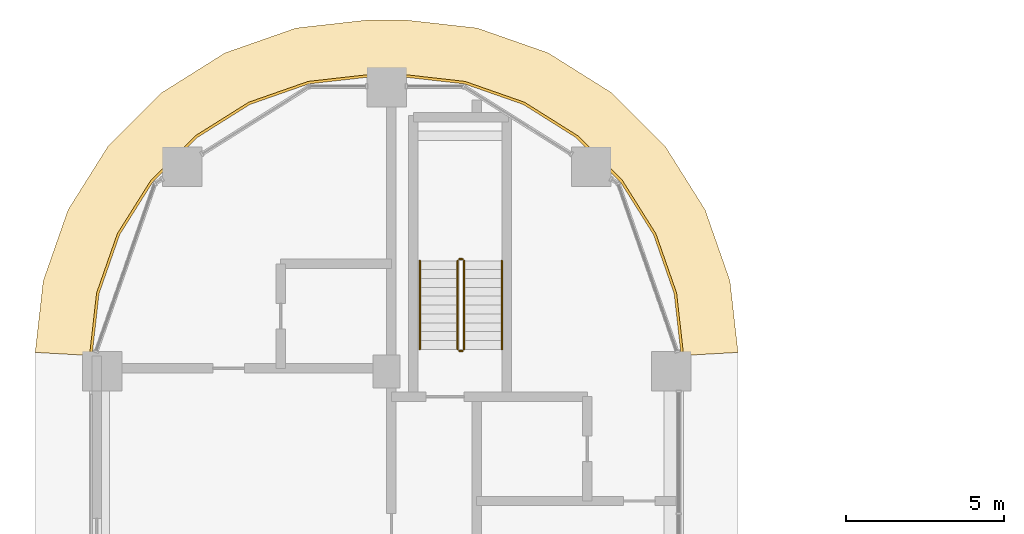
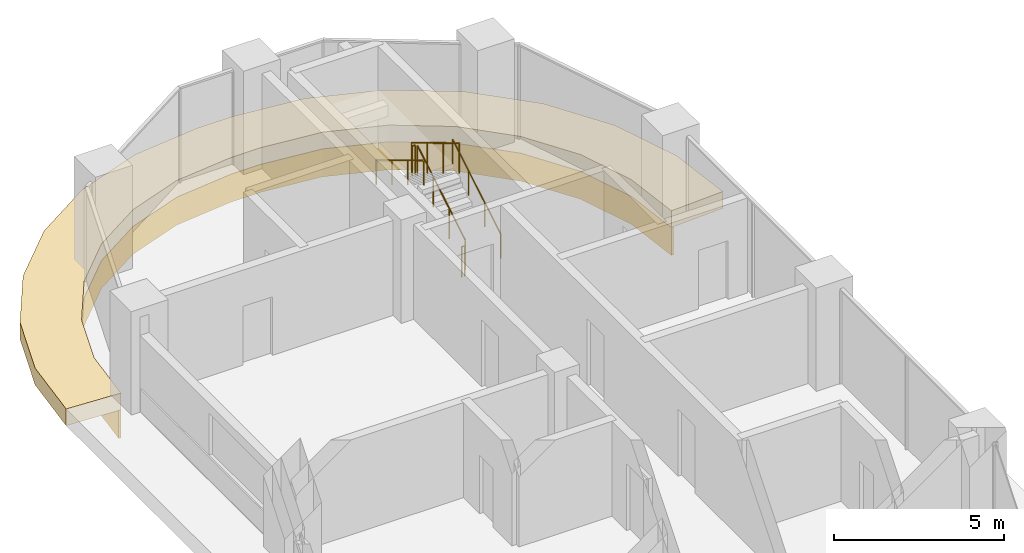
# One storey, part 30 of 33: 6 railings, 2 coverings.
"""IFC4 building model written with IfcOpenShell, lengths in metres."""

from ifc_helpers import new_model, si_unit, direction, frame, origin, origin_2d, place, context, subcontext, project, spatial, polyline, circle, outline, extrude, material, layer, layer_set, type_object, element, save


model = new_model("IFC4")

# Units and contexts
model_context = context("Model", 3, precision=1e-05, world=origin(), true_north=direction((0.0, 1.0)))
body_context = subcontext(model_context, "Body", "Model", "MODEL_VIEW")
ifc_project = project(units=[si_unit("LENGTHUNIT", "METRE"), si_unit("AREAUNIT", "SQUARE_METRE"), si_unit("VOLUMEUNIT", "CUBIC_METRE"), si_unit("PLANEANGLEUNIT", "RADIAN"), si_unit("MASSUNIT", "GRAM", prefix="KILO")], contexts=[model_context])

# Site, building, storey
site_placement = place(None, origin())
site = spatial("IfcSite", under=ifc_project, at=site_placement, CompositionType="ELEMENT")
building_placement = place(site_placement, origin())
building = spatial("IfcBuilding", under=site, at=building_placement, Name="Ogive Portal Towers", CompositionType="ELEMENT")
storey_placement = place(building_placement, frame((0.0, 0.0, 98.199951171875)))
storey = spatial("IfcBuildingStorey", under=building, at=storey_placement, Name="L23", CompositionType="ELEMENT", Elevation=98.199951171875)

# Railings
ifc_material_1 = material(Name="Stainless steel balustrade", Category="steel")
railing_type_1 = type_object("IfcRailingType", Name="INT-GUARD", PredefinedType="GUARDRAIL", material=ifc_material_1)
railing_1_placement = place(storey_placement, frame((42.949951171875, 67.199951171875, 0.168212890625)))
element("IfcRailing", 1, at=railing_1_placement, inside=storey, type_object=railing_type_1, Name="L23 ST-A3 stair guard 1", PredefinedType="GUARDRAIL", context=body_context, shape_type="SweptSolid", body=[
    extrude(circle(Radius=0.02392578125, at=origin_2d()), frame((0.0, 0.0, 1.076171875), z_axis=(0.0, 0.857242210791, 0.514913383045), x_axis=(-1.0, 0.0, 0.0)), (0.0, 0.0, 1.0), 3.266357421875),
    extrude(circle(Radius=0.02099609375, at=origin_2d()), origin(), (0.0, 0.0, 1.0), 1.052001953125),
    extrude(circle(Radius=0.02099609375, at=origin_2d()), frame((0.0, 0.933349609375, 0.560546875)), (0.0, 0.0, 1.0), 1.052001953125),
    extrude(circle(Radius=0.02099609375, at=origin_2d()), frame((0.0, 1.86669921875, 1.121337890625)), (0.0, 0.0, 1.0), 1.052001953125),
    extrude(circle(Radius=0.02099609375, at=origin_2d()), frame((0.0, 2.800048828125, 1.681884765625)), (0.0, 0.0, 1.0), 1.052001953125),
])
railing_2_placement = place(storey_placement, frame((42.89990234375, 70.050048828125, 1.85009765625)))
element("IfcRailing", 2, at=railing_2_placement, inside=storey, type_object=railing_type_1, Name="L23 ST-A3 stair guard 2", PredefinedType="GUARDRAIL", context=body_context, shape_type="SweptSolid", body=[
    extrude(circle(Radius=0.02392578125, at=origin_2d()), frame((0.0, 0.0, 1.076171875), z_axis=(-1.0, 0.0, 0.0), x_axis=(0.0, -1.0, 0.0)), (0.0, 0.0, 1.0), 0.099853515625),
    extrude(circle(Radius=0.02099609375, at=origin_2d()), origin(), (0.0, 0.0, 1.0), 1.052001953125),
    extrude(circle(Radius=0.02099609375, at=origin_2d()), frame((-0.099853515625, 0.0, 0.0)), (0.0, 0.0, 1.0), 1.052001953125),
])
railing_3_placement = place(storey_placement, frame((42.75, 70.0, 2.018310546875)))
element("IfcRailing", 3, at=railing_3_placement, inside=storey, type_object=railing_type_1, Name="L23 ST-A3 stair guard 3", PredefinedType="GUARDRAIL", context=body_context, shape_type="SweptSolid", body=[
    extrude(circle(Radius=0.02392578125, at=origin_2d()), frame((0.0, 0.0, 1.076171875), z_axis=(0.0, -0.857275202839, 0.514858452973), x_axis=(1.0, 0.0, 0.0)), (0.0, 0.0, 1.0), 3.26611328125),
    extrude(circle(Radius=0.02099609375, at=origin_2d()), origin(), (0.0, 0.0, 1.0), 1.052001953125),
    extrude(circle(Radius=0.02099609375, at=origin_2d()), frame((0.0, -0.933349609375, 0.560546875)), (0.0, 0.0, 1.0), 1.052001953125),
    extrude(circle(Radius=0.02099609375, at=origin_2d()), frame((0.0, -1.86669921875, 1.12109375)), (0.0, 0.0, 1.0), 1.052001953125),
    extrude(circle(Radius=0.02099609375, at=origin_2d()), frame((0.0, -2.800048828125, 1.681640625)), (0.0, 0.0, 1.0), 1.052001953125),
])
railing_4_placement = place(storey_placement, frame((42.89990234375, 67.14990234375, 0.0)))
element("IfcRailing", 4, at=railing_4_placement, inside=storey, type_object=railing_type_1, Name="L23 ST-A3 stair guard 4", PredefinedType="GUARDRAIL", context=body_context, shape_type="SweptSolid", body=[
    extrude(circle(Radius=0.02392578125, at=origin_2d()), frame((0.0, 0.0, 1.076171875), z_axis=(-1.0, 0.0, 0.0), x_axis=(0.0, -1.0, 0.0)), (0.0, 0.0, 1.0), 0.099853515625),
    extrude(circle(Radius=0.02099609375, at=origin_2d()), origin(), (0.0, 0.0, 1.0), 1.052001953125),
    extrude(circle(Radius=0.02099609375, at=origin_2d()), frame((-0.099853515625, 0.0, 0.0)), (0.0, 0.0, 1.0), 1.052001953125),
])
ifc_material_2 = material(Name="Stainless steel handrail", Category="steel")
railing_type_2 = type_object("IfcRailingType", Name="INT-HANDRAIL", PredefinedType="HANDRAIL", material=ifc_material_2)
railing_5_placement = place(storey_placement, frame((44.14990234375, 67.199951171875, 0.168212890625)))
element("IfcRailing", 5, at=railing_5_placement, inside=storey, type_object=railing_type_2, Name="L23 ST-A3 stair handrail 1", PredefinedType="HANDRAIL", context=body_context, shape_type="SweptSolid", body=[
    extrude(circle(Radius=0.02392578125, at=origin_2d()), frame((0.0, 0.0, 0.8759765625), z_axis=(0.0, 0.857242210791, 0.514913383045), x_axis=(-1.0, 0.0, 0.0)), (0.0, 0.0, 1.0), 3.266357421875),
    extrude(circle(Radius=0.02099609375, at=origin_2d()), origin(), (0.0, 0.0, 1.0), 0.851806640625),
    extrude(circle(Radius=0.02099609375, at=origin_2d()), frame((0.0, 0.933349609375, 0.560546875)), (0.0, 0.0, 1.0), 0.851806640625),
    extrude(circle(Radius=0.02099609375, at=origin_2d()), frame((0.0, 1.86669921875, 1.121337890625)), (0.0, 0.0, 1.0), 0.851806640625),
    extrude(circle(Radius=0.02099609375, at=origin_2d()), frame((0.0, 2.800048828125, 1.681884765625)), (0.0, 0.0, 1.0), 0.851806640625),
])
railing_6_placement = place(storey_placement, frame((41.550048828125, 70.0, 2.018310546875)))
element("IfcRailing", 6, at=railing_6_placement, inside=storey, type_object=railing_type_2, Name="L23 ST-A3 stair handrail 2", PredefinedType="HANDRAIL", context=body_context, shape_type="SweptSolid", body=[
    extrude(circle(Radius=0.02392578125, at=origin_2d()), frame((0.0, 0.0, 0.8759765625), z_axis=(0.0, -0.857275202839, 0.514858452973), x_axis=(1.0, 0.0, 0.0)), (0.0, 0.0, 1.0), 3.26611328125),
    extrude(circle(Radius=0.02099609375, at=origin_2d()), origin(), (0.0, 0.0, 1.0), 0.851806640625),
    extrude(circle(Radius=0.02099609375, at=origin_2d()), frame((0.0, -0.933349609375, 0.560546875)), (0.0, 0.0, 1.0), 0.851806640625),
    extrude(circle(Radius=0.02099609375, at=origin_2d()), frame((0.0, -1.86669921875, 1.12109375)), (0.0, 0.0, 1.0), 0.851806640625),
    extrude(circle(Radius=0.02099609375, at=origin_2d()), frame((0.0, -2.800048828125, 1.681640625)), (0.0, 0.0, 1.0), 0.851806640625),
])

# Coverings
ifc_material_3 = material(Name="Limestone cladding on lightweight block wall", Category="masonry")
ifc_layer_1 = layer(ifc_material_3, 0.080078125)
ifc_layer_set_1 = layer_set([ifc_layer_1], Name="STONE SPANDREL 80")
covering_type_1 = type_object("IfcCoveringType", Name="STONE SPANDREL 80", PredefinedType="CLADDING", material=ifc_layer_set_1)
covering_1_placement = place(storey_placement, frame((0.0, 0.0, -1.599853515625)))
element("IfcCovering", 7, at=covering_1_placement, inside=storey, type_object=covering_type_1, Name="Stone spandrel A1-F05", PredefinedType="CLADDING", context=body_context, shape_type="SweptSolid", body=[
    extrude(outline(polyline([(49.820068359375, 67.0), (49.598876953125, 68.962646484375), (48.946533203125, 70.826904296875), (47.895751953125, 72.499267578125), (46.499267578125, 73.895751953125), (44.826904296875, 74.946533203125), (42.962646484375, 75.598876953125), (41.0, 75.820068359375), (40.0, 75.820068359375), (38.037353515625, 75.598876953125), (36.173095703125, 74.946533203125), (34.500732421875, 73.895751953125), (33.104248046875, 72.499267578125), (32.053466796875, 70.826904296875), (31.401123046875, 68.962646484375), (31.179931640625, 67.0), (31.10009765625, 67.00439453125), (31.32275390625, 68.98046875), (31.98095703125, 70.86181640625), (33.041259765625, 72.54931640625), (34.45068359375, 73.958740234375), (36.13818359375, 75.01904296875), (38.01953125, 75.67724609375), (39.99560546875, 75.89990234375), (41.00439453125, 75.89990234375), (42.98046875, 75.67724609375), (44.86181640625, 75.01904296875), (46.54931640625, 73.958740234375), (47.958740234375, 72.54931640625), (49.01904296875, 70.86181640625), (49.67724609375, 68.98046875), (49.89990234375, 67.00439453125), (49.820068359375, 67.0)])), origin(), (0.0, 0.0, 1.0), 1.0),
])
ifc_layer_2 = layer(ifc_material_3, 0.60009765625)
ifc_layer_set_2 = layer_set([ifc_layer_2], Name="SUNSHADE LIP 600")
covering_type_2 = type_object("IfcCoveringType", Name="SUNSHADE LIP 600", PredefinedType="CLADDING", material=ifc_layer_set_2)
covering_2_placement = place(storey_placement, frame((0.0, 0.0, -0.599853515625)))
element("IfcCovering", 8, at=covering_2_placement, inside=storey, type_object=covering_type_2, Name="Sunshade lip A1-F05", PredefinedType="CLADDING", context=body_context, shape_type="SweptSolid", body=[
    extrude(outline(polyline([(49.820068359375, 67.0), (49.598876953125, 68.962646484375), (48.946533203125, 70.826904296875), (47.895751953125, 72.499267578125), (46.499267578125, 73.895751953125), (44.826904296875, 74.946533203125), (42.962646484375, 75.598876953125), (41.0, 75.820068359375), (40.0, 75.820068359375), (38.037353515625, 75.598876953125), (36.173095703125, 74.946533203125), (34.500732421875, 73.895751953125), (33.104248046875, 72.499267578125), (32.053466796875, 70.826904296875), (31.401123046875, 68.962646484375), (31.179931640625, 67.0), (29.3798828125, 67.10107421875), (29.63525390625, 69.36572265625), (30.42138671875, 71.61279296875), (31.68798828125, 73.628662109375), (33.371337890625, 75.31201171875), (35.38720703125, 76.57861328125), (37.63427734375, 77.36474609375), (39.89892578125, 77.6201171875), (41.10107421875, 77.6201171875), (43.36572265625, 77.36474609375), (45.61279296875, 76.57861328125), (47.628662109375, 75.31201171875), (49.31201171875, 73.628662109375), (50.57861328125, 71.61279296875), (51.36474609375, 69.36572265625), (51.6201171875, 67.10107421875), (49.820068359375, 67.0)])), origin(), (0.0, 0.0, 1.0), 0.599853515625),
])

save(model, "model.ifc")
